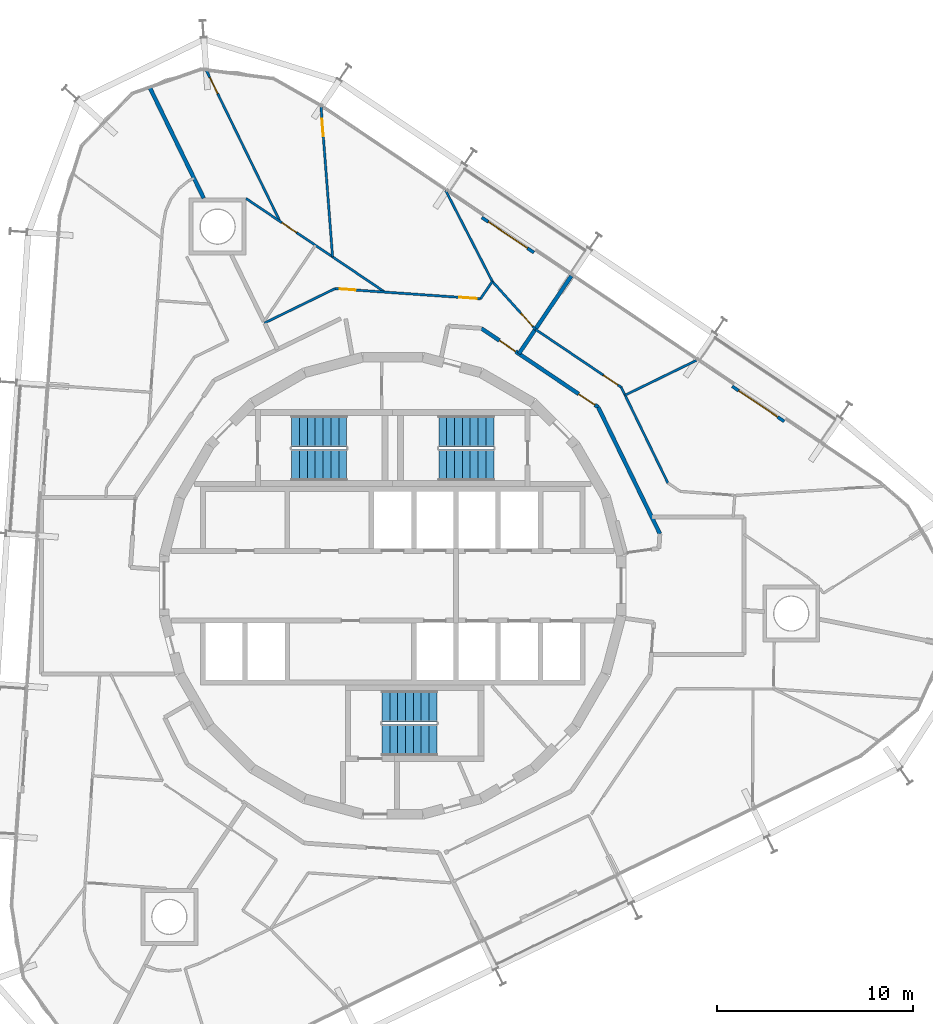
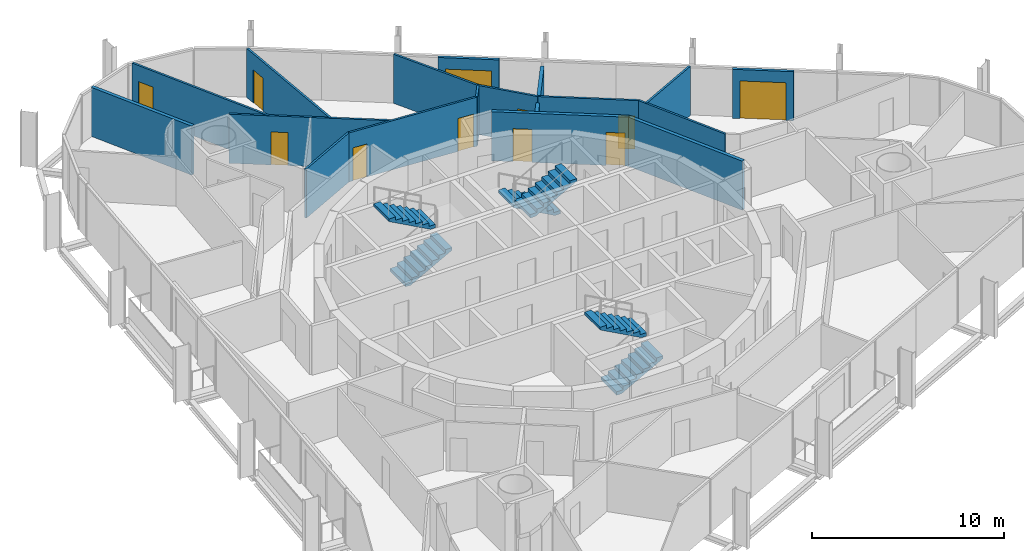
# One storey, part 16 of 17: 17 walls, 11 doors, 6 stair flights, 11 openings, 3 elements without a shape of their own.
"""IFC4 building model written with IfcOpenShell, lengths in metres."""

from ifc_helpers import new_model, si_unit, direction, frame, frame_2d, origin, place, context, subcontext, project, spatial, polyline, rectangle, outline, extrude, material, layer, layer_set, type_object, element, fill, aggregate, save


model = new_model("IFC4")

# Units and contexts
model_context = context("Model", 3, precision=1e-05, world=origin(), true_north=direction((0.0, 1.0)))
body_context = subcontext(model_context, "Body", "Model", "MODEL_VIEW")
ifc_project = project(units=[si_unit("LENGTHUNIT", "METRE"), si_unit("AREAUNIT", "SQUARE_METRE"), si_unit("VOLUMEUNIT", "CUBIC_METRE"), si_unit("PLANEANGLEUNIT", "RADIAN"), si_unit("MASSUNIT", "GRAM", prefix="KILO")], contexts=[model_context])

# Site, building, storey
site_placement = place(None, origin())
site = spatial("IfcSite", under=ifc_project, at=site_placement, CompositionType="ELEMENT")
building_placement = place(site_placement, origin())
building = spatial("IfcBuilding", under=site, at=building_placement, Name="Spindle Arch Residences", CompositionType="ELEMENT")
storey_placement = place(building_placement, frame((0.0, 0.0, 212.89990234375)))
storey = spatial("IfcBuildingStorey", under=building, at=storey_placement, Name="L54", CompositionType="ELEMENT", Elevation=212.89990234375)

# Wall, openings, doors
ifc_material_1 = material(Name="Calcium silicate block, plastered")
ifc_layer_1 = layer(ifc_material_1, 0.199951171875)
ifc_layer_set_1 = layer_set([ifc_layer_1], Name="Corridor wall 200")
wall_type_1 = type_object("IfcWallType", Name="Corridor wall 200", PredefinedType="STANDARD", material=ifc_layer_set_1)
wall_1_placement = place(storey_placement, frame((10.469970703125, 9.101318359375, 0.0), z_axis=(0.0, 0.0, 1.0), x_axis=(-0.829035841718, 0.559195469534, 0.0)))
wall_1 = element("IfcWall", 1, at=wall_1_placement, inside=storey, type_object=wall_type_1, Name="Corridor wall R5C1-W005", PredefinedType="STANDARD", context=body_context, shape_type="SweptSolid", body=[
    extrude(rectangle(XDim=7.18115234375, YDim=0.199951171875, at=frame_2d((3.590576171875, 0.0))), origin(), (0.0, 0.0, 1.0), 3.1201171875),
])
opening_1_placement = place(wall_1_placement, frame((0.199951171875, 0.0, 0.0)))
opening_1 = element("IfcOpeningElement", 2, at=opening_1_placement, cuts=wall_1, Name="Opening R5C1-FD01", PredefinedType="OPENING", context=body_context, shape_type="SweptSolid", body=[
    extrude(rectangle(XDim=1.0, YDim=2.10009765625, at=frame_2d((0.5, 1.050048828125))), frame((0.0, 0.10986328125, 0.0), z_axis=(0.0, -1.0, 0.0), x_axis=(1.0, 0.0, 0.0)), (0.0, 0.0, 1.0), 0.219970703125),
])
opening_2_placement = place(wall_1_placement, frame((5.07275390625, 0.0, 0.0)))
opening_2 = element("IfcOpeningElement", 3, at=opening_2_placement, cuts=wall_1, Name="Opening R5C1-FD02", PredefinedType="OPENING", context=body_context, shape_type="SweptSolid", body=[
    extrude(rectangle(XDim=1.0, YDim=2.10009765625, at=frame_2d((0.5, 1.050048828125))), frame((0.0, 0.10986328125, 0.0), z_axis=(0.0, -1.0, 0.0), x_axis=(1.0, 0.0, 0.0)), (0.0, 0.0, 1.0), 0.219970703125),
])
ifc_material_2 = material(Name="Timber, fire-resisting door set", Category="wood")
door_type_1 = type_object("IfcDoorType", Name="Flat entrance door 1000x2100", OperationType="NOTDEFINED", PredefinedType="DOOR", material=ifc_material_2)
door_1_placement = place(opening_1_placement, origin())
door_1 = element("IfcDoor", 4, at=door_1_placement, inside=storey, type_object=door_type_1, Name="Flat entrance door R5C1-FD01", OperationType="SINGLE_SWING_LEFT", OverallHeight=2.10009765625, OverallWidth=1.0, PredefinedType="DOOR", context=body_context, shape_type="SweptSolid", body=[
    extrude(rectangle(XDim=1.0, YDim=2.10009765625, at=frame_2d((0.5, 1.050048828125))), frame((0.0, 0.02490234375, 0.0), z_axis=(0.0, -1.0, 0.0), x_axis=(1.0, 0.0, 0.0)), (0.0, 0.0, 1.0), 0.050048828125),
])
fill(opening_1, door_1)
door_2_placement = place(opening_2_placement, origin())
door_2 = element("IfcDoor", 5, at=door_2_placement, inside=storey, type_object=door_type_1, Name="Flat entrance door R5C1-FD02", OperationType="SINGLE_SWING_RIGHT", OverallHeight=2.10009765625, OverallWidth=1.0, PredefinedType="DOOR", context=body_context, shape_type="SweptSolid", body=[
    extrude(rectangle(XDim=1.0, YDim=2.10009765625, at=frame_2d((0.5, 1.050048828125))), frame((0.0, 0.02490234375, 0.0), z_axis=(0.0, -1.0, 0.0), x_axis=(1.0, 0.0, 0.0)), (0.0, 0.0, 1.0), 0.050048828125),
])
fill(opening_2, door_2)

# Walls
ifc_material_3 = material(Name="Calcium silicate block, plastered")
ifc_layer_2 = layer(ifc_material_3, 0.199951171875)
ifc_layer_set_2 = layer_set([ifc_layer_2], Name="Fire-lift lobby bay wall 200")
wall_type_2 = type_object("IfcWallType", Name="Fire-lift lobby bay wall 200", PredefinedType="STANDARD", material=ifc_layer_set_2)
wall_2_placement = place(storey_placement, frame((13.617919921875, 2.64697265625, 0.0), z_axis=(0.0, 0.0, 1.0), x_axis=(-0.438366026218, 0.898796543751, 0.0)))
element("IfcWall", 6, at=wall_2_placement, inside=storey, type_object=wall_type_2, Name="Fire-lift lobby bay wall R5C1-W004", PredefinedType="STANDARD", context=body_context, shape_type="SweptSolid", body=[
    extrude(rectangle(XDim=7.18115234375, YDim=0.199951171875, at=frame_2d((3.590576171875, 0.0))), origin(), (0.0, 0.0, 1.0), 3.1201171875),
])
ifc_material_4 = material(Name="Plasterboard on steel studs", Category="steel")
ifc_layer_3 = layer(ifc_material_4, 0.1201171875)
ifc_layer_set_3 = layer_set([ifc_layer_3], Name="Flat partition 120")
wall_type_3 = type_object("IfcWallType", Name="Flat partition 120", PredefinedType="PARTITIONING", material=ifc_layer_set_3)
wall_3_placement = place(storey_placement, frame((14.02587890625, 5.232177734375, 0.0), z_axis=(0.0, 0.0, 1.0), x_axis=(-0.438374985284, 0.89879217413, 0.0)))
element("IfcWall", 7, at=wall_3_placement, inside=storey, type_object=wall_type_3, Name="Flat partition R5C1-W041", PredefinedType="PARTITIONING", context=body_context, shape_type="SweptSolid", body=[
    extrude(rectangle(XDim=5.438232421875, YDim=0.1201171875, at=frame_2d((2.71923828125, 0.0))), origin(), (0.0, 0.0, 1.0), 3.1201171875),
])

# Wall, opening, door
wall_4_placement = place(storey_placement, frame((11.641845703125, 10.1201171875, 0.0), z_axis=(0.0, 0.0, 1.0), x_axis=(-0.829054664054, 0.559167563446, 0.0)))
wall_4 = element("IfcWall", 8, at=wall_4_placement, inside=storey, type_object=wall_type_3, Name="Flat partition R5C1-W042", PredefinedType="PARTITIONING", context=body_context, shape_type="SweptSolid", body=[
    extrude(rectangle(XDim=5.274658203125, YDim=0.1201171875, at=frame_2d((2.63720703125, 0.0))), origin(), (0.0, 0.0, 1.0), 3.1201171875),
])
opening_3_placement = place(wall_4_placement, frame((0.199951171875, 0.0, 0.0)))
opening_3 = element("IfcOpeningElement", 9, at=opening_3_placement, cuts=wall_4, Name="Opening R5C1-ID02", PredefinedType="OPENING", context=body_context, shape_type="SweptSolid", body=[
    extrude(rectangle(XDim=0.89990234375, YDim=2.10009765625, at=frame_2d((0.449951171875, 1.050048828125))), frame((0.0, 0.070068359375, 0.0), z_axis=(0.0, -1.0, 0.0), x_axis=(1.0, 0.0, 0.0)), (0.0, 0.0, 1.0), 0.14013671875),
])
ifc_material_5 = material(Name="Timber door set", Category="wood")
door_type_2 = type_object("IfcDoorType", Name="Room door 900x2100", OperationType="NOTDEFINED", PredefinedType="DOOR", material=ifc_material_5)
door_3_placement = place(opening_3_placement, origin())
door_3 = element("IfcDoor", 10, at=door_3_placement, inside=storey, type_object=door_type_2, Name="Room door R5C1-ID02", OperationType="SINGLE_SWING_LEFT", OverallHeight=2.10009765625, OverallWidth=0.89990234375, PredefinedType="DOOR", context=body_context, shape_type="SweptSolid", body=[
    extrude(rectangle(XDim=0.89990234375, YDim=2.10009765625, at=frame_2d((0.449951171875, 1.050048828125))), frame((0.0, 0.02490234375, 0.0), z_axis=(0.0, -1.0, 0.0), x_axis=(1.0, 0.0, 0.0)), (0.0, 0.0, 1.0), 0.050048828125),
])
fill(opening_3, door_3)

# Wall
wall_5_placement = place(storey_placement, frame((15.48193359375, 11.4873046875, 0.0), z_axis=(0.0, 0.0, 1.0), x_axis=(-0.898807251285, -0.438344071521, 0.0)))
element("IfcWall", 11, at=wall_5_placement, inside=storey, type_object=wall_type_3, Name="Flat partition R5C1-W048", PredefinedType="PARTITIONING", context=body_context, shape_type="SweptSolid", body=[
    extrude(rectangle(XDim=4.05078125, YDim=0.1201171875, at=frame_2d((2.025390625, 0.0))), origin(), (0.0, 0.0, 1.0), 3.1201171875),
])

# Wall, opening, door
wall_6_placement = place(storey_placement, frame((7.268798828125, 13.069580078125, 0.0), z_axis=(0.0, 0.0, 1.0), x_axis=(-0.668495993587, 0.743715743116, 0.0)))
wall_6 = element("IfcWall", 12, at=wall_6_placement, inside=storey, type_object=wall_type_3, Name="Flat partition R5C1-W049", PredefinedType="PARTITIONING", context=body_context, shape_type="SweptSolid", body=[
    extrude(rectangle(XDim=3.281494140625, YDim=0.1201171875, at=frame_2d((1.640625, 0.0))), origin(), (0.0, 0.0, 1.0), 3.1201171875),
])
opening_4_placement = place(wall_6_placement, frame((0.199951171875, 0.0, 0.0)))
opening_4 = element("IfcOpeningElement", 13, at=opening_4_placement, cuts=wall_6, Name="Opening R5C1-ID05", PredefinedType="OPENING", context=body_context, shape_type="SweptSolid", body=[
    extrude(rectangle(XDim=0.89990234375, YDim=2.10009765625, at=frame_2d((0.449951171875, 1.050048828125))), frame((0.0, 0.070068359375, 0.0), z_axis=(0.0, -1.0, 0.0), x_axis=(1.0, 0.0, 0.0)), (0.0, 0.0, 1.0), 0.14013671875),
])
door_4_placement = place(opening_4_placement, origin())
door_4 = element("IfcDoor", 14, at=door_4_placement, inside=storey, type_object=door_type_2, Name="Room door R5C1-ID05", OperationType="SINGLE_SWING_RIGHT", OverallHeight=2.10009765625, OverallWidth=0.89990234375, PredefinedType="DOOR", context=body_context, shape_type="SweptSolid", body=[
    extrude(rectangle(XDim=0.89990234375, YDim=2.10009765625, at=frame_2d((0.449951171875, 1.050048828125))), frame((0.0, 0.02490234375, 0.0), z_axis=(0.0, -1.0, 0.0), x_axis=(1.0, 0.0, 0.0)), (0.0, 0.0, 1.0), 0.050048828125),
])
fill(opening_4, door_4)

# Wall
wall_7_placement = place(storey_placement, frame((5.0751953125, 15.510009765625, 0.0), z_axis=(0.0, 0.0, 1.0), x_axis=(-0.559221936342, -0.829017988896, 0.0)))
element("IfcWall", 15, at=wall_7_placement, inside=storey, type_object=wall_type_3, Name="Flat partition R5C1-W050", PredefinedType="PARTITIONING", context=body_context, shape_type="SweptSolid", body=[
    extrude(rectangle(XDim=1.069580078125, YDim=0.1201171875, at=frame_2d((0.53466796875, 0.0))), origin(), (0.0, 0.0, 1.0), 3.1201171875),
])

# Wall, openings, doors
wall_8_placement = place(storey_placement, frame((4.47705078125, 14.623291015625, 0.0), z_axis=(0.0, 0.0, 1.0), x_axis=(-0.997564862172, 0.069744861884, 0.0)))
wall_8 = element("IfcWall", 16, at=wall_8_placement, inside=storey, type_object=wall_type_3, Name="Flat partition R5C1-W051", PredefinedType="PARTITIONING", context=body_context, shape_type="SweptSolid", body=[
    extrude(rectangle(XDim=7.4384765625, YDim=0.1201171875, at=frame_2d((3.71923828125, 0.0))), origin(), (0.0, 0.0, 1.0), 3.1201171875),
])
opening_5_placement = place(wall_8_placement, frame((0.199951171875, 0.0, 0.0)))
opening_5 = element("IfcOpeningElement", 17, at=opening_5_placement, cuts=wall_8, Name="Opening R5C1-ID06", PredefinedType="OPENING", context=body_context, shape_type="SweptSolid", body=[
    extrude(rectangle(XDim=0.89990234375, YDim=2.10009765625, at=frame_2d((0.449951171875, 1.050048828125))), frame((0.0, 0.070068359375, 0.0), z_axis=(0.0, -1.0, 0.0), x_axis=(1.0, 0.0, 0.0)), (0.0, 0.0, 1.0), 0.14013671875),
])
opening_6_placement = place(wall_8_placement, frame((6.39208984375, 0.0, 0.0)))
opening_6 = element("IfcOpeningElement", 18, at=opening_6_placement, cuts=wall_8, Name="Opening R5C1-BD02", PredefinedType="OPENING", context=body_context, shape_type="SweptSolid", body=[
    extrude(rectangle(XDim=0.800048828125, YDim=2.10009765625, at=frame_2d((0.39990234375, 1.050048828125))), frame((0.0, 0.070068359375, 0.0), z_axis=(0.0, -1.0, 0.0), x_axis=(1.0, 0.0, 0.0)), (0.0, 0.0, 1.0), 0.14013671875),
])
ifc_material_6 = material(Name="Timber door set", Category="wood")
door_type_3 = type_object("IfcDoorType", Name="Bathroom door 800x2100", OperationType="NOTDEFINED", PredefinedType="DOOR", material=ifc_material_6)
door_5_placement = place(opening_6_placement, origin())
door_5 = element("IfcDoor", 19, at=door_5_placement, inside=storey, type_object=door_type_3, Name="Bathroom door R5C1-BD02", OperationType="SINGLE_SWING_RIGHT", OverallHeight=2.10009765625, OverallWidth=0.800048828125, PredefinedType="DOOR", context=body_context, shape_type="SweptSolid", body=[
    extrude(rectangle(XDim=0.800048828125, YDim=2.10009765625, at=frame_2d((0.39990234375, 1.050048828125))), frame((0.0, 0.02490234375, 0.0), z_axis=(0.0, -1.0, 0.0), x_axis=(1.0, 0.0, 0.0)), (0.0, 0.0, 1.0), 0.050048828125),
])
fill(opening_6, door_5)
door_6_placement = place(opening_5_placement, origin())
door_6 = element("IfcDoor", 20, at=door_6_placement, inside=storey, type_object=door_type_2, Name="Room door R5C1-ID06", OperationType="SINGLE_SWING_RIGHT", OverallHeight=2.10009765625, OverallWidth=0.89990234375, PredefinedType="DOOR", context=body_context, shape_type="SweptSolid", body=[
    extrude(rectangle(XDim=0.89990234375, YDim=2.10009765625, at=frame_2d((0.449951171875, 1.050048828125))), frame((0.0, 0.02490234375, 0.0), z_axis=(0.0, -1.0, 0.0), x_axis=(1.0, 0.0, 0.0)), (0.0, 0.0, 1.0), 0.050048828125),
])
fill(opening_5, door_6)

# Walls
wall_9_placement = place(storey_placement, frame((-2.943359375, 15.14208984375, 0.0), z_axis=(0.0, 0.0, 1.0), x_axis=(-0.89881075705, -0.438336883014, 0.0)))
element("IfcWall", 21, at=wall_9_placement, inside=storey, type_object=wall_type_3, Name="Flat partition R5C1-W052", PredefinedType="PARTITIONING", context=body_context, shape_type="SweptSolid", body=[
    extrude(rectangle(XDim=3.992431640625, YDim=0.1201171875, at=frame_2d((1.99609375, 0.0))), origin(), (0.0, 0.0, 1.0), 3.1201171875),
])
wall_10_placement = place(storey_placement, frame((2.696044921875, 20.1484375, 0.0), z_axis=(0.0, 0.0, 1.0), x_axis=(0.456387956197, -0.889780890691, 0.0)))
element("IfcWall", 22, at=wall_10_placement, inside=storey, type_object=wall_type_3, Name="Flat partition R5C1-W053", PredefinedType="PARTITIONING", context=body_context, shape_type="SweptSolid", body=[
    extrude(rectangle(XDim=5.212890625, YDim=0.1201171875, at=frame_2d((2.6064453125, 0.0))), origin(), (0.0, 0.0, 1.0), 3.1201171875),
])

# Wall, opening, door
wall_11_placement = place(storey_placement, frame((-7.475830078125, 19.735107421875, 0.0), z_axis=(0.0, 0.0, 1.0), x_axis=(0.829035412992, -0.559196105142, 0.0)))
wall_11 = element("IfcWall", 23, at=wall_11_placement, inside=storey, type_object=wall_type_3, Name="Flat partition R5C1-W054", PredefinedType="PARTITIONING", context=body_context, shape_type="SweptSolid", body=[
    extrude(rectangle(XDim=8.531005859375, YDim=0.1201171875, at=frame_2d((4.265625, 0.0))), origin(), (0.0, 0.0, 1.0), 3.1201171875),
])
opening_7_placement = place(wall_11_placement, frame((2.20361328125, 0.0, 0.0)))
opening_7 = element("IfcOpeningElement", 24, at=opening_7_placement, cuts=wall_11, Name="Opening R5C1-ID08", PredefinedType="OPENING", context=body_context, shape_type="SweptSolid", body=[
    extrude(rectangle(XDim=0.89990234375, YDim=2.10009765625, at=frame_2d((0.449951171875, 1.050048828125))), frame((0.0, 0.070068359375, 0.0), z_axis=(0.0, -1.0, 0.0), x_axis=(1.0, 0.0, 0.0)), (0.0, 0.0, 1.0), 0.14013671875),
])
door_7_placement = place(opening_7_placement, origin())
door_7 = element("IfcDoor", 25, at=door_7_placement, inside=storey, type_object=door_type_2, Name="Room door R5C1-ID08", OperationType="SINGLE_SWING_LEFT", OverallHeight=2.10009765625, OverallWidth=0.89990234375, PredefinedType="DOOR", context=body_context, shape_type="SweptSolid", body=[
    extrude(rectangle(XDim=0.89990234375, YDim=2.10009765625, at=frame_2d((0.449951171875, 1.050048828125))), frame((0.0, 0.02490234375, 0.0), z_axis=(0.0, -1.0, 0.0), x_axis=(1.0, 0.0, 0.0)), (0.0, 0.0, 1.0), 0.050048828125),
])
fill(opening_7, door_7)

wall_12_placement = place(storey_placement, frame((-3.6533203125, 24.39404296875, 0.0), z_axis=(0.0, 0.0, 1.0), x_axis=(0.076513576433, -0.997068539581, 0.0)))
wall_12 = element("IfcWall", 26, at=wall_12_placement, inside=storey, type_object=wall_type_3, Name="Flat partition R5C1-W055", PredefinedType="PARTITIONING", context=body_context, shape_type="SweptSolid", body=[
    extrude(rectangle(XDim=7.65478515625, YDim=0.1201171875, at=frame_2d((3.827392578125, 0.0))), origin(), (0.0, 0.0, 1.0), 3.1201171875),
])
opening_8_placement = place(wall_12_placement, frame((0.60009765625, 0.0, 0.0)))
opening_8 = element("IfcOpeningElement", 27, at=opening_8_placement, cuts=wall_12, Name="Opening R5C1-ID07", PredefinedType="OPENING", context=body_context, shape_type="SweptSolid", body=[
    extrude(rectangle(XDim=0.89990234375, YDim=2.10009765625, at=frame_2d((0.449951171875, 1.050048828125))), frame((0.0, 0.070068359375, 0.0), z_axis=(0.0, -1.0, 0.0), x_axis=(1.0, 0.0, 0.0)), (0.0, 0.0, 1.0), 0.14013671875),
])
door_8_placement = place(opening_8_placement, origin())
door_8 = element("IfcDoor", 28, at=door_8_placement, inside=storey, type_object=door_type_2, Name="Room door R5C1-ID07", OperationType="SINGLE_SWING_RIGHT", OverallHeight=2.10009765625, OverallWidth=0.89990234375, PredefinedType="DOOR", context=body_context, shape_type="SweptSolid", body=[
    extrude(rectangle(XDim=0.89990234375, YDim=2.10009765625, at=frame_2d((0.449951171875, 1.050048828125))), frame((0.0, 0.02490234375, 0.0), z_axis=(0.0, -1.0, 0.0), x_axis=(1.0, 0.0, 0.0)), (0.0, 0.0, 1.0), 0.050048828125),
])
fill(opening_8, door_8)

wall_13_placement = place(storey_placement, frame((-9.49609375, 26.25390625, 0.0), z_axis=(0.0, 0.0, 1.0), x_axis=(0.438361739807, -0.89879863433, 0.0)))
wall_13 = element("IfcWall", 29, at=wall_13_placement, inside=storey, type_object=wall_type_3, Name="Flat partition R5C1-W057", PredefinedType="PARTITIONING", context=body_context, shape_type="SweptSolid", body=[
    extrude(rectangle(XDim=8.549072265625, YDim=0.1201171875, at=frame_2d((4.2744140625, 0.0))), origin(), (0.0, 0.0, 1.0), 3.1201171875),
])
opening_9_placement = place(wall_13_placement, frame((0.39990234375, 0.0, 0.0)))
opening_9 = element("IfcOpeningElement", 30, at=opening_9_placement, cuts=wall_13, Name="Opening R5C1-ID09", PredefinedType="OPENING", context=body_context, shape_type="SweptSolid", body=[
    extrude(rectangle(XDim=0.89990234375, YDim=2.10009765625, at=frame_2d((0.449951171875, 1.050048828125))), frame((0.0, 0.070068359375, 0.0), z_axis=(0.0, -1.0, 0.0), x_axis=(1.0, 0.0, 0.0)), (0.0, 0.0, 1.0), 0.14013671875),
])
door_9_placement = place(opening_9_placement, origin())
door_9 = element("IfcDoor", 31, at=door_9_placement, inside=storey, type_object=door_type_2, Name="Room door R5C1-ID09", OperationType="SINGLE_SWING_RIGHT", OverallHeight=2.10009765625, OverallWidth=0.89990234375, PredefinedType="DOOR", context=body_context, shape_type="SweptSolid", body=[
    extrude(rectangle(XDim=0.89990234375, YDim=2.10009765625, at=frame_2d((0.449951171875, 1.050048828125))), frame((0.0, 0.02490234375, 0.0), z_axis=(0.0, -1.0, 0.0), x_axis=(1.0, 0.0, 0.0)), (0.0, 0.0, 1.0), 0.050048828125),
])
fill(opening_9, door_9)

# Walls
ifc_material_7 = material(Name="Calcium silicate block, plastered")
ifc_layer_4 = layer(ifc_material_7, 0.199951171875)
ifc_layer_set_4 = layer_set([ifc_layer_4], Name="Flat party wall 200")
wall_type_4 = type_object("IfcWallType", Name="Flat party wall 200", PredefinedType="STANDARD", material=ifc_layer_set_4)
wall_14_placement = place(storey_placement, frame((-12.4091796875, 25.4423828125, 0.0), z_axis=(0.0, 0.0, 1.0), x_axis=(0.43838641251, -0.898786600549, 0.0)))
element("IfcWall", 32, at=wall_14_placement, inside=storey, type_object=wall_type_4, Name="Flat party wall R5C1-W033", PredefinedType="STANDARD", context=body_context, shape_type="SweptSolid", body=[
    extrude(rectangle(XDim=6.33251953125, YDim=0.199951171875, at=frame_2d((3.166259765625, 0.0))), origin(), (0.0, 0.0, 1.0), 3.1201171875),
])
ifc_material_8 = material(Name="Calcium silicate block, plastered")
ifc_layer_5 = layer(ifc_material_8, 0.199951171875)
ifc_layer_set_5 = layer_set([ifc_layer_5], Name="Flat party wall 200 under beam 2730")
wall_type_5 = type_object("IfcWallType", Name="Flat party wall 200 under beam 2730", PredefinedType="STANDARD", material=ifc_layer_set_5)
wall_15_placement = place(storey_placement, frame((9.103515625, 15.78955078125, 0.0), z_axis=(0.0, 0.0, 1.0), x_axis=(-0.559193912135, -0.829036892201, 0.0)))
element("IfcWall", 33, at=wall_15_placement, inside=storey, type_object=wall_type_5, Name="Flat party wall R5C1-W028", PredefinedType="STANDARD", context=body_context, shape_type="SweptSolid", body=[
    extrude(rectangle(XDim=4.78076171875, YDim=0.199951171875, at=frame_2d((2.390380859375, 0.0))), origin(), (0.0, 0.0, 1.0), 2.72998046875),
])

# Wall, opening, door
ifc_material_9 = material(Name="Non-combustible mineral wool insulated aluminium faced external wall (K0)", Category="aluminium")
ifc_layer_6 = layer(ifc_material_9, 0.159912109375)
ifc_layer_set_6 = layer_set([ifc_layer_6], Name="Insulated external wall panel 160")
wall_type_6 = type_object("IfcWallType", Name="Insulated external wall panel 160", PredefinedType="STANDARD", material=ifc_layer_set_6)
wall_16_placement = place(storey_placement, frame((19.952880859375, 8.375244140625, 0.0), z_axis=(0.0, 0.0, 1.0), x_axis=(-0.829068838882, 0.55914654644, 0.0)))
wall_16 = element("IfcWall", 34, at=wall_16_placement, inside=storey, type_object=wall_type_6, Name="External wall L54 bay 6", PredefinedType="STANDARD", context=body_context, shape_type="SweptSolid", body=[
    extrude(rectangle(XDim=3.199951171875, YDim=0.159912109375, at=frame_2d((1.60009765625, 0.0))), origin(), (0.0, 0.0, 1.0), 3.1201171875),
])
opening_10_placement = place(wall_16_placement, frame((0.39990234375, 0.0, 0.0)))
opening_10 = element("IfcOpeningElement", 35, at=opening_10_placement, cuts=wall_16, Name="Opening BD06", PredefinedType="OPENING", context=body_context, shape_type="SweptSolid", body=[
    extrude(rectangle(XDim=2.39990234375, YDim=2.39990234375, at=frame_2d((1.199951171875, 1.199951171875))), frame((0.0, 0.08984375, 0.0), z_axis=(0.0, -1.0, 0.0), x_axis=(1.0, 0.0, 0.0)), (0.0, 0.0, 1.0), 0.179931640625),
])
ifc_material_10 = material(Name="Bronze aluminium frame, tinted double glazing", Category="aluminium")
door_type_4 = type_object("IfcDoorType", Name="Sliding glazed balcony door 2400x2400", OperationType="DOUBLE_DOOR_SLIDING", PredefinedType="DOOR", material=ifc_material_10)
door_10_placement = place(opening_10_placement, origin())
door_10 = element("IfcDoor", 36, at=door_10_placement, inside=storey, type_object=door_type_4, Name="Balcony door BD06", OperationType="DOUBLE_DOOR_SLIDING", OverallHeight=2.39990234375, OverallWidth=2.39990234375, PredefinedType="DOOR", context=body_context, shape_type="SweptSolid", body=[
    extrude(rectangle(XDim=2.39990234375, YDim=2.39990234375, at=frame_2d((1.199951171875, 1.199951171875))), frame((0.0, 0.02490234375, 0.0), z_axis=(0.0, -1.0, 0.0), x_axis=(1.0, 0.0, 0.0)), (0.0, 0.0, 1.0), 0.050048828125),
])
fill(opening_10, door_10)

wall_17_placement = place(storey_placement, frame((7.196044921875, 16.979736328125, 0.0), z_axis=(0.0, 0.0, 1.0), x_axis=(-0.829044984211, 0.559181915082, 0.0)))
wall_17 = element("IfcWall", 37, at=wall_17_placement, inside=storey, type_object=wall_type_6, Name="External wall L54 bay 8", PredefinedType="STANDARD", context=body_context, shape_type="SweptSolid", body=[
    extrude(rectangle(XDim=3.199951171875, YDim=0.159912109375, at=frame_2d((1.60009765625, 0.0))), origin(), (0.0, 0.0, 1.0), 3.1201171875),
])
opening_11_placement = place(wall_17_placement, frame((0.39990234375, 0.0, 0.0)))
opening_11 = element("IfcOpeningElement", 38, at=opening_11_placement, cuts=wall_17, Name="Opening BD08", PredefinedType="OPENING", context=body_context, shape_type="SweptSolid", body=[
    extrude(rectangle(XDim=2.39990234375, YDim=2.39990234375, at=frame_2d((1.199951171875, 1.199951171875))), frame((0.0, 0.08984375, 0.0), z_axis=(0.0, -1.0, 0.0), x_axis=(1.0, 0.0, 0.0)), (0.0, 0.0, 1.0), 0.179931640625),
])
door_11_placement = place(opening_11_placement, origin())
door_11 = element("IfcDoor", 39, at=door_11_placement, inside=storey, type_object=door_type_4, Name="Balcony door BD08", OperationType="DOUBLE_DOOR_SLIDING", OverallHeight=2.39990234375, OverallWidth=2.39990234375, PredefinedType="DOOR", context=body_context, shape_type="SweptSolid", body=[
    extrude(rectangle(XDim=2.39990234375, YDim=2.39990234375, at=frame_2d((1.199951171875, 1.199951171875))), frame((0.0, 0.02490234375, 0.0), z_axis=(0.0, -1.0, 0.0), x_axis=(1.0, 0.0, 0.0)), (0.0, 0.0, 1.0), 0.050048828125),
])
fill(opening_11, door_11)

# Stair, stair flights
ifc_material_11 = material(Name="Concrete C50/60", Category="concrete")
stair_type = type_object("IfcStairType", Name="Exit stair 16 risers", PredefinedType="HALF_TURN_STAIR", material=ifc_material_11)
stair_1_placement = place(storey_placement, origin())
stair_1 = element("IfcStair", 40, at=stair_1_placement, inside=storey, type_object=stair_type, Name="L54 Exit stair ST1", PredefinedType="HALF_TURN_STAIR")
ifc_material_12 = material(Name="Concrete C50/60", Category="concrete")
stair_flight_type = type_object("IfcStairFlightType", Name="Exit stair flight", PredefinedType="STRAIGHT", material=ifc_material_12)
stair_flight_1_placement = place(storey_placement, frame((5.14990234375, 7.8701171875, 0.0), z_axis=(0.0, 0.0, 1.0), x_axis=(-1.0, 0.0, 0.0)))
stair_flight_1 = element("IfcStairFlight", 41, at=stair_flight_1_placement, type_object=stair_flight_type, Name="ST1 flight 1", NumberOfRisers=8, NumberOfTreads=7, PredefinedType="STRAIGHT", RiserHeight=0.21875, TreadLength=0.4, context=body_context, shape_type="SweptSolid", body=[
    extrude(outline(polyline([(0.0, 0.0), (0.0, 0.21875), (0.39990234375, 0.21875), (0.39990234375, 0.4375), (0.800048828125, 0.4375), (0.800048828125, 0.65625), (1.199951171875, 0.65625), (1.199951171875, 0.875), (1.60009765625, 0.875), (1.60009765625, 1.09375), (2.0, 1.09375), (2.0, 1.3125), (2.39990234375, 1.3125), (2.39990234375, 1.53125), (2.800048828125, 1.53125), (2.800048828125, 1.75), (2.800048828125, 1.3603515625), (0.3125, 0.0), (0.0, 0.0)])), frame((0.0, 0.800048828125, 0.0), z_axis=(0.0, -1.0, 0.0), x_axis=(1.0, 0.0, 0.0)), (0.0, 0.0, 1.0), 1.60009765625),
])
stair_flight_2_placement = place(storey_placement, frame((2.35009765625, 6.14990234375, 1.75), z_axis=(0.0, 0.0, 1.0), x_axis=(1.0, 0.0, 0.0)))
stair_flight_2 = element("IfcStairFlight", 42, at=stair_flight_2_placement, type_object=stair_flight_type, Name="ST1 flight 2", NumberOfRisers=8, NumberOfTreads=7, PredefinedType="STRAIGHT", RiserHeight=0.21875, TreadLength=0.4, context=body_context, shape_type="SweptSolid", body=[
    extrude(outline(polyline([(0.0, 0.0), (0.0, 0.21875), (0.39990234375, 0.21875), (0.39990234375, 0.4375), (0.800048828125, 0.4375), (0.800048828125, 0.65625), (1.199951171875, 0.65625), (1.199951171875, 0.875), (1.60009765625, 0.875), (1.60009765625, 1.09375), (2.0, 1.09375), (2.0, 1.3125), (2.39990234375, 1.3125), (2.39990234375, 1.53125), (2.800048828125, 1.53125), (2.800048828125, 1.75), (2.800048828125, 1.3603515625), (0.3125, 0.0), (0.0, 0.0)])), frame((0.0, 0.800048828125, 0.0), z_axis=(0.0, -1.0, 0.0), x_axis=(1.0, 0.0, 0.0)), (0.0, 0.0, 1.0), 1.60009765625),
])
aggregate(stair_1, [stair_flight_1, stair_flight_2])

stair_2_placement = place(storey_placement, origin())
stair_2 = element("IfcStair", 43, at=stair_2_placement, inside=storey, type_object=stair_type, Name="L54 Exit stair ST2", PredefinedType="HALF_TURN_STAIR")
stair_flight_3_placement = place(storey_placement, frame((-5.14990234375, 6.14990234375, 0.0), z_axis=(0.0, 0.0, 1.0), x_axis=(1.0, 0.0, 0.0)))
stair_flight_3 = element("IfcStairFlight", 44, at=stair_flight_3_placement, type_object=stair_flight_type, Name="ST2 flight 1", NumberOfRisers=8, NumberOfTreads=7, PredefinedType="STRAIGHT", RiserHeight=0.21875, TreadLength=0.4, context=body_context, shape_type="SweptSolid", body=[
    extrude(outline(polyline([(0.0, 0.0), (0.0, 0.21875), (0.39990234375, 0.21875), (0.39990234375, 0.4375), (0.800048828125, 0.4375), (0.800048828125, 0.65625), (1.199951171875, 0.65625), (1.199951171875, 0.875), (1.60009765625, 0.875), (1.60009765625, 1.09375), (2.0, 1.09375), (2.0, 1.3125), (2.39990234375, 1.3125), (2.39990234375, 1.53125), (2.800048828125, 1.53125), (2.800048828125, 1.75), (2.800048828125, 1.3603515625), (0.3125, 0.0), (0.0, 0.0)])), frame((0.0, 0.800048828125, 0.0), z_axis=(0.0, -1.0, 0.0), x_axis=(1.0, 0.0, 0.0)), (0.0, 0.0, 1.0), 1.60009765625),
])
stair_flight_4_placement = place(storey_placement, frame((-2.35009765625, 7.8701171875, 1.75), z_axis=(0.0, 0.0, 1.0), x_axis=(-1.0, 0.0, 0.0)))
stair_flight_4 = element("IfcStairFlight", 45, at=stair_flight_4_placement, type_object=stair_flight_type, Name="ST2 flight 2", NumberOfRisers=8, NumberOfTreads=7, PredefinedType="STRAIGHT", RiserHeight=0.21875, TreadLength=0.4, context=body_context, shape_type="SweptSolid", body=[
    extrude(outline(polyline([(0.0, 0.0), (0.0, 0.21875), (0.39990234375, 0.21875), (0.39990234375, 0.4375), (0.800048828125, 0.4375), (0.800048828125, 0.65625), (1.199951171875, 0.65625), (1.199951171875, 0.875), (1.60009765625, 0.875), (1.60009765625, 1.09375), (2.0, 1.09375), (2.0, 1.3125), (2.39990234375, 1.3125), (2.39990234375, 1.53125), (2.800048828125, 1.53125), (2.800048828125, 1.75), (2.800048828125, 1.3603515625), (0.3125, 0.0), (0.0, 0.0)])), frame((0.0, 0.800048828125, 0.0), z_axis=(0.0, -1.0, 0.0), x_axis=(1.0, 0.0, 0.0)), (0.0, 0.0, 1.0), 1.60009765625),
])
aggregate(stair_2, [stair_flight_3, stair_flight_4])

stair_3_placement = place(storey_placement, origin())
stair_3 = element("IfcStair", 46, at=stair_3_placement, inside=storey, type_object=stair_type, Name="L54 Exit stair ST3", PredefinedType="HALF_TURN_STAIR")
stair_flight_5_placement = place(storey_placement, frame((-0.550048828125, -7.8701171875, 0.0), z_axis=(0.0, 0.0, 1.0), x_axis=(1.0, 0.0, 0.0)))
stair_flight_5 = element("IfcStairFlight", 47, at=stair_flight_5_placement, type_object=stair_flight_type, Name="ST3 flight 1", NumberOfRisers=8, NumberOfTreads=7, PredefinedType="STRAIGHT", RiserHeight=0.21875, TreadLength=0.4, context=body_context, shape_type="SweptSolid", body=[
    extrude(outline(polyline([(0.0, 0.0), (0.0, 0.21875), (0.39990234375, 0.21875), (0.39990234375, 0.4375), (0.800048828125, 0.4375), (0.800048828125, 0.65625), (1.199951171875, 0.65625), (1.199951171875, 0.875), (1.60009765625, 0.875), (1.60009765625, 1.09375), (2.0, 1.09375), (2.0, 1.3125), (2.39990234375, 1.3125), (2.39990234375, 1.53125), (2.800048828125, 1.53125), (2.800048828125, 1.75), (2.800048828125, 1.3603515625), (0.3125, 0.0), (0.0, 0.0)])), frame((0.0, 0.800048828125, 0.0), z_axis=(0.0, -1.0, 0.0), x_axis=(1.0, 0.0, 0.0)), (0.0, 0.0, 1.0), 1.60009765625),
])
stair_flight_6_placement = place(storey_placement, frame((2.25, -6.14990234375, 1.75), z_axis=(0.0, 0.0, 1.0), x_axis=(-1.0, 0.0, 0.0)))
stair_flight_6 = element("IfcStairFlight", 48, at=stair_flight_6_placement, type_object=stair_flight_type, Name="ST3 flight 2", NumberOfRisers=8, NumberOfTreads=7, PredefinedType="STRAIGHT", RiserHeight=0.21875, TreadLength=0.4, context=body_context, shape_type="SweptSolid", body=[
    extrude(outline(polyline([(0.0, 0.0), (0.0, 0.21875), (0.39990234375, 0.21875), (0.39990234375, 0.4375), (0.800048828125, 0.4375), (0.800048828125, 0.65625), (1.199951171875, 0.65625), (1.199951171875, 0.875), (1.60009765625, 0.875), (1.60009765625, 1.09375), (2.0, 1.09375), (2.0, 1.3125), (2.39990234375, 1.3125), (2.39990234375, 1.53125), (2.800048828125, 1.53125), (2.800048828125, 1.75), (2.800048828125, 1.3603515625), (0.3125, 0.0), (0.0, 0.0)])), frame((0.0, 0.800048828125, 0.0), z_axis=(0.0, -1.0, 0.0), x_axis=(1.0, 0.0, 0.0)), (0.0, 0.0, 1.0), 1.60009765625),
])
aggregate(stair_3, [stair_flight_5, stair_flight_6])

save(model, "model.ifc")
